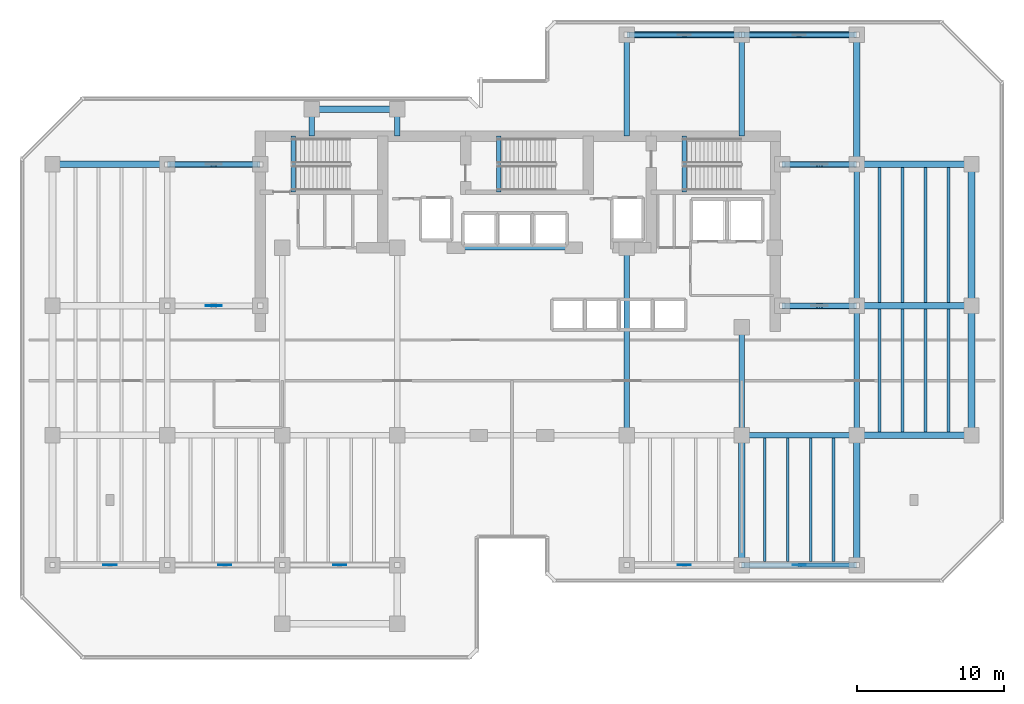
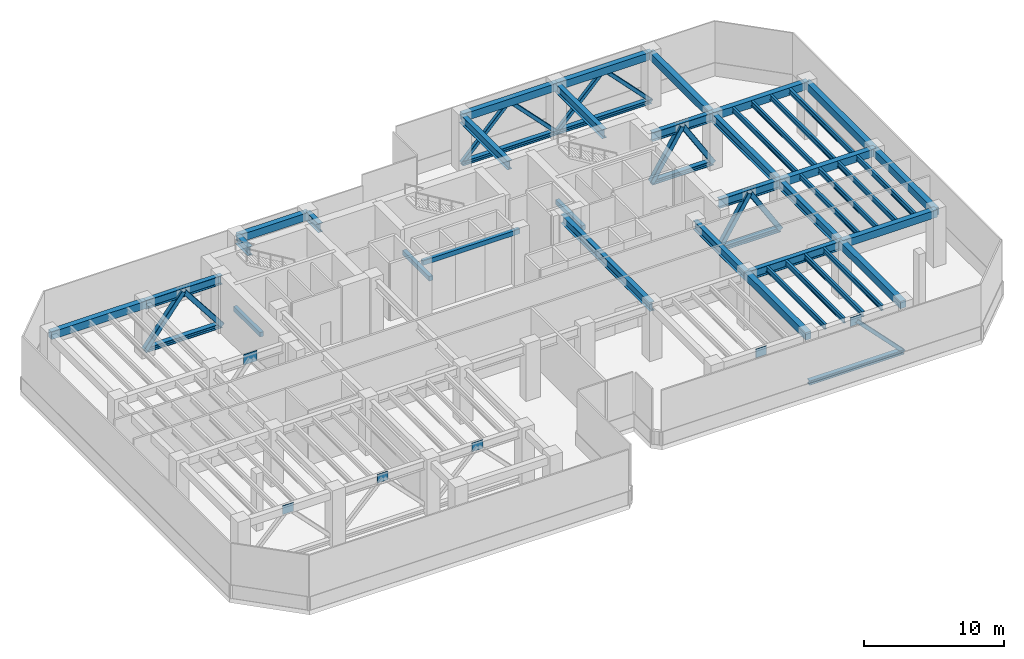
# One storey, part 2 of 10: 40 beams, 17 members, 6 plates.
"""IFC4 building model written with IfcOpenShell, lengths in metres."""

from ifc_helpers import new_model, si_unit, direction, frame, origin, origin_2d, place, context, subcontext, project, spatial, rectangle, hollow_rectangle, i_section, extrude, material, layer, layer_set, material_profile, profile_set, type_object, element, save


model = new_model("IFC4")

# Units and contexts
model_context = context("Model", 3, precision=1e-05, world=origin(), true_north=direction((0.0, 1.0)))
body_context = subcontext(model_context, "Body", "Model", "MODEL_VIEW")
ifc_project = project(units=[si_unit("LENGTHUNIT", "METRE"), si_unit("AREAUNIT", "SQUARE_METRE"), si_unit("VOLUMEUNIT", "CUBIC_METRE"), si_unit("PLANEANGLEUNIT", "RADIAN"), si_unit("MASSUNIT", "GRAM", prefix="KILO")], contexts=[model_context])

# Site, building, storey
site_placement = place(None, origin())
site = spatial("IfcSite", under=ifc_project, at=site_placement, CompositionType="ELEMENT")
building_placement = place(site_placement, origin())
building = spatial("IfcBuilding", under=site, at=building_placement, Name="Kestravale Grand Hotel", CompositionType="ELEMENT")
storey_placement = place(building_placement, frame((0.0, 0.0, 184.0)))
storey = spatial("IfcBuildingStorey", under=building, at=storey_placement, Name="L46", CompositionType="ELEMENT", Elevation=184.0)

# Beams
ifc_material_1 = material(Name="Steel ASTM A992 Grade 50", Category="steel")
ifc_material_profile_1 = material_profile(ifc_material_1, i_section(OverallWidth=0.19091796875, OverallDepth=0.45703125, WebThickness=0.009033203125, FlangeThickness=0.014404296875, FilletRadius=0.015380859375, at=origin_2d()))
ifc_profile_set_1 = profile_set([ifc_material_profile_1], Name="Steel ASTM A992 Grade 50")
beam_type_1 = type_object("IfcBeamType", Name="B-FLR-JST18", PredefinedType="JOIST", material=ifc_profile_set_1)
for number, where, z_axis, x_axis, name in (
    (1, (56.159912109375, 11.425048828125, 4.4814453125), (0.0, 1.0, 0.0), (-1.0, 0.0, 0.0), "L46 floor joist 9-10/C-D #1"),
    (2, (57.719970703125, 11.425048828125, 4.4814453125), (0.0, 1.0, 0.0), (-1.0, 0.0, 0.0), "L46 floor joist 9-10/C-D #2"),
    (3, (59.280029296875, 11.425048828125, 4.4814453125), (0.0, 1.0, 0.0), (-1.0, 0.0, 0.0), "L46 floor joist 9-10/C-D #3"),
    (4, (60.840087890625, 11.425048828125, 4.4814453125), (0.0, 1.0, 0.0), (-1.0, 0.0, 0.0), "L46 floor joist 9-10/C-D #4"),
):
    element("IfcBeam", number, at=place(storey_placement, frame(where, z_axis=z_axis, x_axis=x_axis)), inside=storey, type_object=beam_type_1, Name=name, PredefinedType="JOIST", context=body_context, shape_type="SweptSolid", body=[
        extrude(i_section(OverallWidth=0.19091796875, OverallDepth=0.45703125, WebThickness=0.009033203125, FlangeThickness=0.014404296875, FilletRadius=0.015380859375, at=origin_2d()), origin(), (0.0, 0.0, 1.0), 8.384521484375),
    ])
for number, where, z_axis, x_axis, name in (
    (5, (63.9599609375, 20.22509765625, 4.4814453125), (0.0, 1.0, 0.0), (-1.0, 0.0, 0.0), "L46 floor joist 10-11/D-E #1"),
    (6, (65.52001953125, 20.22509765625, 4.4814453125), (0.0, 1.0, 0.0), (-1.0, 0.0, 0.0), "L46 floor joist 10-11/D-E #2"),
    (7, (67.080078125, 20.22509765625, 4.4814453125), (0.0, 1.0, 0.0), (-1.0, 0.0, 0.0), "L46 floor joist 10-11/D-E #3"),
    (8, (68.639892578125, 20.22509765625, 4.4814453125), (0.0, 1.0, 0.0), (-1.0, 0.0, 0.0), "L46 floor joist 10-11/D-E #4"),
):
    element("IfcBeam", number, at=place(storey_placement, frame(where, z_axis=z_axis, x_axis=x_axis)), inside=storey, type_object=beam_type_1, Name=name, PredefinedType="JOIST", context=body_context, shape_type="SweptSolid", body=[
        extrude(i_section(OverallWidth=0.19091796875, OverallDepth=0.45703125, WebThickness=0.009033203125, FlangeThickness=0.014404296875, FilletRadius=0.015380859375, at=origin_2d()), origin(), (0.0, 0.0, 1.0), 8.349853515625),
    ])
for number, where, z_axis, x_axis, name in (
    (9, (63.9599609375, 29.02490234375, 4.4814453125), (0.0, 1.0, 0.0), (-1.0, 0.0, 0.0), "L46 floor joist 10-11/E-F #1"),
    (10, (65.52001953125, 29.02490234375, 4.4814453125), (0.0, 1.0, 0.0), (-1.0, 0.0, 0.0), "L46 floor joist 10-11/E-F #2"),
    (11, (67.080078125, 29.02490234375, 4.4814453125), (0.0, 1.0, 0.0), (-1.0, 0.0, 0.0), "L46 floor joist 10-11/E-F #3"),
    (12, (68.639892578125, 29.02490234375, 4.4814453125), (0.0, 1.0, 0.0), (-1.0, 0.0, 0.0), "L46 floor joist 10-11/E-F #4"),
):
    element("IfcBeam", number, at=place(storey_placement, frame(where, z_axis=z_axis, x_axis=x_axis)), inside=storey, type_object=beam_type_1, Name=name, PredefinedType="JOIST", context=body_context, shape_type="SweptSolid", body=[
        extrude(i_section(OverallWidth=0.19091796875, OverallDepth=0.45703125, WebThickness=0.009033203125, FlangeThickness=0.014404296875, FilletRadius=0.015380859375, at=origin_2d()), origin(), (0.0, 0.0, 1.0), 9.150146484375),
    ])
ifc_material_2 = material(Name="Concrete f'c 45 MPa", Category="concrete")
ifc_material_profile_2 = material_profile(ifc_material_2, rectangle(XDim=0.300048828125, YDim=0.39990234375, at=origin_2d()))
ifc_profile_set_2 = profile_set([ifc_material_profile_2], Name="Concrete f'c 45 MPa")
beam_type_2 = type_object("IfcBeamType", Name="B-FLR-LNT400", PredefinedType="LINTEL", material=ifc_profile_set_2)
beam_1_placement = place(storey_placement, frame((35.199951171875, 32.75, 4.510009765625), z_axis=(1.0, 0.0, 0.0), x_axis=(0.0, 1.0, 0.0)))
element("IfcBeam", 13, at=beam_1_placement, inside=storey, type_object=beam_type_2, Name="L46 core portal header lintel", PredefinedType="LINTEL", context=body_context, shape_type="SweptSolid", body=[
    extrude(rectangle(XDim=0.300048828125, YDim=0.39990234375, at=origin_2d()), origin(), (0.0, 0.0, 1.0), 8.0),
])
for number, where, z_axis, x_axis, name in (
    (14, (24.159912109375, 36.52001953125, -0.199951171875), (0.0, 1.0, 0.0), (-1.0, 0.0, 0.0), "L46 ST1 flight bottom header beam"),
    (15, (38.110107421875, 36.52001953125, -0.199951171875), (0.0, 1.0, 0.0), (-1.0, 0.0, 0.0), "L46 ST2 flight bottom header beam"),
    (16, (50.7099609375, 36.52001953125, -0.199951171875), (0.0, 1.0, 0.0), (-1.0, 0.0, 0.0), "L46 ST3 flight bottom header beam"),
):
    element("IfcBeam", number, at=place(storey_placement, frame(where, z_axis=z_axis, x_axis=x_axis)), inside=storey, type_object=beam_type_2, Name=name, PredefinedType="LINTEL", context=body_context, shape_type="SweptSolid", body=[
        extrude(rectangle(XDim=0.300048828125, YDim=0.39990234375, at=origin_2d()), origin(), (0.0, 0.0, 1.0), 3.800048828125),
    ])
ifc_material_3 = material(Name="Concrete f'c 45 MPa", Category="concrete")
ifc_material_profile_3 = material_profile(ifc_material_3, rectangle(XDim=0.449951171875, YDim=0.64990234375, at=origin_2d()))
ifc_profile_set_3 = profile_set([ifc_material_profile_3], Name="Concrete f'c 45 MPa")
beam_type_3 = type_object("IfcBeamType", Name="B-FLR-RC650", PredefinedType="SPANDREL", material=ifc_profile_set_3)
for number, where, z_axis, x_axis, name in (
    (17, (62.39990234375, 20.0, 4.385009765625), (1.0, 0.0, 0.0), (0.0, 1.0, 0.0), "L46 spandrel D:10-11"),
    (18, (62.39990234375, 28.800048828125, 4.385009765625), (1.0, 0.0, 0.0), (0.0, 1.0, 0.0), "L46 spandrel E:10-11"),
    (19, (7.800048828125, 38.39990234375, 4.385009765625), (1.0, 0.0, 0.0), (0.0, 1.0, 0.0), "L46 spandrel F:2-3"),
    (20, (62.39990234375, 38.39990234375, 4.385009765625), (1.0, 0.0, 0.0), (0.0, 1.0, 0.0), "L46 spandrel F:10-11"),
    (21, (46.800048828125, 47.199951171875, 4.385009765625), (1.0, 0.0, 0.0), (0.0, 1.0, 0.0), "L46 spandrel G:8-9"),
):
    element("IfcBeam", number, at=place(storey_placement, frame(where, z_axis=z_axis, x_axis=x_axis)), inside=storey, type_object=beam_type_3, Name=name, PredefinedType="SPANDREL", context=body_context, shape_type="SweptSolid", body=[
        extrude(rectangle(XDim=0.449951171875, YDim=0.64990234375, at=origin_2d()), origin(), (0.0, 0.0, 1.0), 7.800048828125),
    ])
beam_2_placement = place(storey_placement, frame((54.60009765625, 47.199951171875, 4.385009765625), z_axis=(1.0, 0.0, 0.0), x_axis=(0.0, 1.0, 0.0)))
element("IfcBeam", 22, at=beam_2_placement, inside=storey, type_object=beam_type_3, Name="L46 spandrel G:9-10", PredefinedType="SPANDREL", context=body_context, shape_type="SweptSolid", body=[
    extrude(rectangle(XDim=0.449951171875, YDim=0.64990234375, at=origin_2d()), origin(), (0.0, 0.0, 1.0), 7.7998046875),
])
beam_3_placement = place(storey_placement, frame((25.39990234375, 42.14990234375, 4.385009765625), z_axis=(1.0, 0.0, 0.0), x_axis=(0.0, 1.0, 0.0)))
element("IfcBeam", 23, at=beam_3_placement, inside=storey, type_object=beam_type_3, Name="L46 perimeter tie spandrel FN:4-5", PredefinedType="SPANDREL", context=body_context, shape_type="SweptSolid", body=[
    extrude(rectangle(XDim=0.449951171875, YDim=0.64990234375, at=origin_2d()), origin(), (0.0, 0.0, 1.0), 5.800048828125),
])
for number, where, z_axis, x_axis, name in (
    (24, (54.60009765625, 11.199951171875, 4.385009765625), (0.0, 1.0, 0.0), (-1.0, 0.0, 0.0), "L46 spandrel 9:C-D"),
    (25, (62.39990234375, 11.199951171875, 4.385009765625), (0.0, 1.0, 0.0), (-1.0, 0.0, 0.0), "L46 spandrel 10:C-D"),
    (26, (62.39990234375, 38.39990234375, 4.385009765625), (0.0, 1.0, 0.0), (-1.0, 0.0, 0.0), "L46 spandrel 10:F-G"),
    (27, (70.199951171875, 20.0, 4.385009765625), (0.0, 1.0, 0.0), (-1.0, 0.0, 0.0), "L46 spandrel 11:D-E"),
):
    element("IfcBeam", number, at=place(storey_placement, frame(where, z_axis=z_axis, x_axis=x_axis)), inside=storey, type_object=beam_type_3, Name=name, PredefinedType="SPANDREL", context=body_context, shape_type="SweptSolid", body=[
        extrude(rectangle(XDim=0.449951171875, YDim=0.64990234375, at=origin_2d()), origin(), (0.0, 0.0, 1.0), 8.800048828125),
    ])
beam_4_placement = place(storey_placement, frame((70.199951171875, 28.800048828125, 4.385009765625), z_axis=(0.0, 1.0, 0.0), x_axis=(-1.0, 0.0, 0.0)))
element("IfcBeam", 28, at=beam_4_placement, inside=storey, type_object=beam_type_3, Name="L46 spandrel 11:E-F", PredefinedType="SPANDREL", context=body_context, shape_type="SweptSolid", body=[
    extrude(rectangle(XDim=0.449951171875, YDim=0.64990234375, at=origin_2d()), origin(), (0.0, 0.0, 1.0), 9.599853515625),
])
ifc_material_4 = material(Name="Steel ASTM A992 Grade 50", Category="steel")
ifc_material_profile_4 = material_profile(ifc_material_4, i_section(OverallWidth=0.381103515625, OverallDepth=0.77197265625, WebThickness=0.0166015625, FlangeThickness=0.027099609375, FilletRadius=0.023681640625, at=origin_2d()))
ifc_profile_set_4 = profile_set([ifc_material_profile_4], Name="Steel ASTM A992 Grade 50")
beam_type_4 = type_object("IfcBeamType", Name="B-GRD-W30", PredefinedType="BEAM", material=ifc_profile_set_4)
beam_5_placement = place(storey_placement, frame((54.60009765625, 20.0, 4.323974609375), z_axis=(1.0, 0.0, 0.0), x_axis=(0.0, 1.0, 0.0)))
element("IfcBeam", 29, at=beam_5_placement, inside=storey, type_object=beam_type_4, Name="L46 girder D:9-10", PredefinedType="BEAM", context=body_context, shape_type="SweptSolid", body=[
    extrude(i_section(OverallWidth=0.381103515625, OverallDepth=0.77197265625, WebThickness=0.0166015625, FlangeThickness=0.027099609375, FilletRadius=0.023681640625, at=origin_2d()), origin(), (0.0, 0.0, 1.0), 7.7998046875),
])
beam_6_placement = place(storey_placement, frame((57.35009765625, 28.800048828125, 4.323974609375), z_axis=(1.0, 0.0, 0.0), x_axis=(0.0, 1.0, 0.0)))
element("IfcBeam", 30, at=beam_6_placement, inside=storey, type_object=beam_type_4, Name="L46 girder E:CE-10", PredefinedType="BEAM", context=body_context, shape_type="SweptSolid", body=[
    extrude(i_section(OverallWidth=0.381103515625, OverallDepth=0.77197265625, WebThickness=0.0166015625, FlangeThickness=0.027099609375, FilletRadius=0.023681640625, at=origin_2d()), origin(), (0.0, 0.0, 1.0), 5.0498046875),
])
beam_7_placement = place(storey_placement, frame((15.60009765625, 38.39990234375, 4.323974609375), z_axis=(1.0, 0.0, 0.0), x_axis=(0.0, 1.0, 0.0)))
element("IfcBeam", 31, at=beam_7_placement, inside=storey, type_object=beam_type_4, Name="L46 girder F:3-CW", PredefinedType="BEAM", context=body_context, shape_type="SweptSolid", body=[
    extrude(i_section(OverallWidth=0.381103515625, OverallDepth=0.77197265625, WebThickness=0.0166015625, FlangeThickness=0.027099609375, FilletRadius=0.023681640625, at=origin_2d()), origin(), (0.0, 0.0, 1.0), 6.2998046875),
])
beam_8_placement = place(storey_placement, frame((57.35009765625, 38.39990234375, 4.323974609375), z_axis=(1.0, 0.0, 0.0), x_axis=(0.0, 1.0, 0.0)))
element("IfcBeam", 32, at=beam_8_placement, inside=storey, type_object=beam_type_4, Name="L46 girder F:CE-10", PredefinedType="BEAM", context=body_context, shape_type="SweptSolid", body=[
    extrude(i_section(OverallWidth=0.381103515625, OverallDepth=0.77197265625, WebThickness=0.0166015625, FlangeThickness=0.027099609375, FilletRadius=0.023681640625, at=origin_2d()), origin(), (0.0, 0.0, 1.0), 5.0498046875),
])
beam_9_placement = place(storey_placement, frame((46.800048828125, 20.0, 4.323974609375), z_axis=(0.0, 1.0, 0.0), x_axis=(-1.0, 0.0, 0.0)))
element("IfcBeam", 33, at=beam_9_placement, inside=storey, type_object=beam_type_4, Name="L46 girder 8:D-CS", PredefinedType="BEAM", context=body_context, shape_type="SweptSolid", body=[
    extrude(i_section(OverallWidth=0.381103515625, OverallDepth=0.77197265625, WebThickness=0.0166015625, FlangeThickness=0.027099609375, FilletRadius=0.023681640625, at=origin_2d()), origin(), (0.0, 0.0, 1.0), 12.75),
])
beam_10_placement = place(storey_placement, frame((54.60009765625, 20.0, 4.323974609375), z_axis=(0.0, 1.0, 0.0), x_axis=(-1.0, 0.0, 0.0)))
element("IfcBeam", 34, at=beam_10_placement, inside=storey, type_object=beam_type_4, Name="L46 girder 9:D-CS", PredefinedType="BEAM", context=body_context, shape_type="SweptSolid", body=[
    extrude(i_section(OverallWidth=0.381103515625, OverallDepth=0.77197265625, WebThickness=0.0166015625, FlangeThickness=0.027099609375, FilletRadius=0.023681640625, at=origin_2d()), origin(), (0.0, 0.0, 1.0), 7.35009765625),
])
beam_11_placement = place(storey_placement, frame((62.39990234375, 20.0, 4.323974609375), z_axis=(0.0, 1.0, 0.0), x_axis=(-1.0, 0.0, 0.0)))
element("IfcBeam", 35, at=beam_11_placement, inside=storey, type_object=beam_type_4, Name="L46 girder 10:D-E", PredefinedType="BEAM", context=body_context, shape_type="SweptSolid", body=[
    extrude(i_section(OverallWidth=0.381103515625, OverallDepth=0.77197265625, WebThickness=0.0166015625, FlangeThickness=0.027099609375, FilletRadius=0.023681640625, at=origin_2d()), origin(), (0.0, 0.0, 1.0), 8.800048828125),
])
beam_12_placement = place(storey_placement, frame((62.39990234375, 28.800048828125, 4.323974609375), z_axis=(0.0, 1.0, 0.0), x_axis=(-1.0, 0.0, 0.0)))
element("IfcBeam", 36, at=beam_12_placement, inside=storey, type_object=beam_type_4, Name="L46 girder 10:E-F", PredefinedType="BEAM", context=body_context, shape_type="SweptSolid", body=[
    extrude(i_section(OverallWidth=0.381103515625, OverallDepth=0.77197265625, WebThickness=0.0166015625, FlangeThickness=0.027099609375, FilletRadius=0.023681640625, at=origin_2d()), origin(), (0.0, 0.0, 1.0), 9.599853515625),
])
for number, where, z_axis, x_axis, name in (
    (37, (25.39990234375, 40.320068359375, 4.323974609375), (0.0, 1.0, 0.0), (-1.0, 0.0, 0.0), "L46 north wing tie girder 4:CN-FN"),
    (38, (31.199951171875, 40.320068359375, 4.323974609375), (0.0, 1.0, 0.0), (-1.0, 0.0, 0.0), "L46 north wing tie girder 5:CN-FN"),
):
    element("IfcBeam", number, at=place(storey_placement, frame(where, z_axis=z_axis, x_axis=x_axis)), inside=storey, type_object=beam_type_4, Name=name, PredefinedType="BEAM", context=body_context, shape_type="SweptSolid", body=[
        extrude(i_section(OverallWidth=0.381103515625, OverallDepth=0.77197265625, WebThickness=0.0166015625, FlangeThickness=0.027099609375, FilletRadius=0.023681640625, at=origin_2d()), origin(), (0.0, 0.0, 1.0), 1.829833984375),
    ])
for number, where, z_axis, x_axis, name in (
    (39, (46.800048828125, 40.320068359375, 4.323974609375), (0.0, 1.0, 0.0), (-1.0, 0.0, 0.0), "L46 north wing tie girder 8:CN-G"),
    (40, (54.60009765625, 40.320068359375, 4.323974609375), (0.0, 1.0, 0.0), (-1.0, 0.0, 0.0), "L46 north wing tie girder 9:CN-G"),
):
    element("IfcBeam", number, at=place(storey_placement, frame(where, z_axis=z_axis, x_axis=x_axis)), inside=storey, type_object=beam_type_4, Name=name, PredefinedType="BEAM", context=body_context, shape_type="SweptSolid", body=[
        extrude(i_section(OverallWidth=0.381103515625, OverallDepth=0.77197265625, WebThickness=0.0166015625, FlangeThickness=0.027099609375, FilletRadius=0.023681640625, at=origin_2d()), origin(), (0.0, 0.0, 1.0), 6.8798828125),
    ])

# Members
ifc_material_5 = material(Name="Steel ASTM A992 Grade 50", Category="steel")
ifc_material_profile_5 = material_profile(ifc_material_5, i_section(OverallWidth=0.373046875, OverallDepth=0.373046875, WebThickness=0.016357421875, FlangeThickness=0.026123046875, FilletRadius=0.016845703125, at=origin_2d()))
ifc_profile_set_5 = profile_set([ifc_material_profile_5], Name="Steel ASTM A992 Grade 50")
member_type_1 = type_object("IfcMemberType", Name="M-BLT-CHD132", PredefinedType="CHORD", material=ifc_profile_set_5)
member_1_placement = place(storey_placement, frame((54.60009765625, 11.199951171875, 0.35009765625), z_axis=(1.0, 0.0, 0.0), x_axis=(0.0, 1.0, 0.0)))
element("IfcMember", 41, at=member_1_placement, inside=storey, type_object=member_type_1, Name="L46 belt truss bottom chord C:9-10", PredefinedType="CHORD", context=body_context, shape_type="SweptSolid", body=[
    extrude(i_section(OverallWidth=0.373046875, OverallDepth=0.373046875, WebThickness=0.016357421875, FlangeThickness=0.026123046875, FilletRadius=0.016845703125, at=origin_2d()), origin(), (0.0, 0.0, 1.0), 7.7998046875),
])
member_2_placement = place(storey_placement, frame((46.800048828125, 47.199951171875, 0.35009765625), z_axis=(1.0, 0.0, 0.0), x_axis=(0.0, 1.0, 0.0)))
element("IfcMember", 42, at=member_2_placement, inside=storey, type_object=member_type_1, Name="L46 belt truss bottom chord G:8-9", PredefinedType="CHORD", context=body_context, shape_type="SweptSolid", body=[
    extrude(i_section(OverallWidth=0.373046875, OverallDepth=0.373046875, WebThickness=0.016357421875, FlangeThickness=0.026123046875, FilletRadius=0.016845703125, at=origin_2d()), origin(), (0.0, 0.0, 1.0), 7.800048828125),
])
member_3_placement = place(storey_placement, frame((54.60009765625, 47.199951171875, 0.35009765625), z_axis=(1.0, 0.0, 0.0), x_axis=(0.0, 1.0, 0.0)))
element("IfcMember", 43, at=member_3_placement, inside=storey, type_object=member_type_1, Name="L46 belt truss bottom chord G:9-10", PredefinedType="CHORD", context=body_context, shape_type="SweptSolid", body=[
    extrude(i_section(OverallWidth=0.373046875, OverallDepth=0.373046875, WebThickness=0.016357421875, FlangeThickness=0.026123046875, FilletRadius=0.016845703125, at=origin_2d()), origin(), (0.0, 0.0, 1.0), 7.7998046875),
])
ifc_material_6 = material(Name="Steel ASTM A992 Grade 50", Category="steel")
ifc_material_profile_6 = material_profile(ifc_material_6, i_section(OverallWidth=0.39892578125, OverallDepth=0.39404296875, WebThickness=0.022705078125, FlangeThickness=0.03662109375, FilletRadius=0.016357421875, at=origin_2d()))
ifc_profile_set_6 = profile_set([ifc_material_profile_6], Name="Steel ASTM A992 Grade 50")
member_type_2 = type_object("IfcMemberType", Name="M-BLT-CHD193", PredefinedType="CHORD", material=ifc_profile_set_6)
member_4_placement = place(storey_placement, frame((57.35009765625, 28.800048828125, 0.35009765625), z_axis=(1.0, 0.0, 0.0), x_axis=(0.0, 1.0, 0.0)))
element("IfcMember", 44, at=member_4_placement, inside=storey, type_object=member_type_2, Name="L46 east outrigger bottom chord E", PredefinedType="CHORD", context=body_context, shape_type="SweptSolid", body=[
    extrude(i_section(OverallWidth=0.39892578125, OverallDepth=0.39404296875, WebThickness=0.022705078125, FlangeThickness=0.03662109375, FilletRadius=0.016357421875, at=origin_2d()), origin(), (0.0, 0.0, 1.0), 5.0498046875),
])
member_5_placement = place(storey_placement, frame((15.60009765625, 38.39990234375, 0.35009765625), z_axis=(1.0, 0.0, 0.0), x_axis=(0.0, 1.0, 0.0)))
element("IfcMember", 45, at=member_5_placement, inside=storey, type_object=member_type_2, Name="L46 west outrigger bottom chord F", PredefinedType="CHORD", context=body_context, shape_type="SweptSolid", body=[
    extrude(i_section(OverallWidth=0.39892578125, OverallDepth=0.39404296875, WebThickness=0.022705078125, FlangeThickness=0.03662109375, FilletRadius=0.016357421875, at=origin_2d()), origin(), (0.0, 0.0, 1.0), 6.2998046875),
])
member_6_placement = place(storey_placement, frame((57.35009765625, 38.39990234375, 0.35009765625), z_axis=(1.0, 0.0, 0.0), x_axis=(0.0, 1.0, 0.0)))
element("IfcMember", 46, at=member_6_placement, inside=storey, type_object=member_type_2, Name="L46 east outrigger bottom chord F", PredefinedType="CHORD", context=body_context, shape_type="SweptSolid", body=[
    extrude(i_section(OverallWidth=0.39892578125, OverallDepth=0.39404296875, WebThickness=0.022705078125, FlangeThickness=0.03662109375, FilletRadius=0.016357421875, at=origin_2d()), origin(), (0.0, 0.0, 1.0), 5.0498046875),
])
ifc_material_7 = material(Name="Steel ASTM A500 Grade C", Category="steel")
ifc_material_profile_7 = material_profile(ifc_material_7, hollow_rectangle(XDim=0.300048828125, YDim=0.300048828125, WallThickness=0.01611328125, InnerFilletRadius=0.01611328125, OuterFilletRadius=0.031982421875, at=origin_2d()))
ifc_profile_set_7 = profile_set([ifc_material_profile_7], Name="Steel ASTM A500 Grade C")
member_type_3 = type_object("IfcMemberType", Name="M-BLT-HSS300", PredefinedType="BRACE", material=ifc_profile_set_7)
for number, where, z_axis, x_axis, name in (
    (47, (62.39990234375, 11.199951171875, 0.35009765625), (-0.694897607575, 0.0, 0.719108694835), (0.0, -1.0, 0.0), "L46 belt truss diagonal C:9-10 R"),
    (48, (46.800048828125, 47.199951171875, 0.35009765625), (0.694897607575, 0.0, 0.719108694835), (0.0, 1.0, 0.0), "L46 belt truss diagonal G:8-9 L"),
    (49, (54.60009765625, 47.199951171875, 0.35009765625), (-0.694897607575, 0.0, 0.719108694835), (0.0, -1.0, 0.0), "L46 belt truss diagonal G:8-9 R"),
    (50, (54.60009765625, 47.199951171875, 0.35009765625), (0.694897607575, 0.0, 0.719108694835), (0.0, 1.0, 0.0), "L46 belt truss diagonal G:9-10 L"),
    (51, (62.39990234375, 47.199951171875, 0.35009765625), (-0.694897607575, 0.0, 0.719108694835), (0.0, -1.0, 0.0), "L46 belt truss diagonal G:9-10 R"),
):
    element("IfcMember", number, at=place(storey_placement, frame(where, z_axis=z_axis, x_axis=x_axis)), inside=storey, type_object=member_type_3, Name=name, PredefinedType="BRACE", context=body_context, shape_type="SweptSolid", body=[
        extrude(hollow_rectangle(XDim=0.300048828125, YDim=0.300048828125, WallThickness=0.01611328125, InnerFilletRadius=0.01611328125, OuterFilletRadius=0.031982421875, at=origin_2d()), origin(), (0.0, 0.0, 1.0), 5.576416015625),
    ])
ifc_material_8 = material(Name="Steel ASTM A500 Grade C", Category="steel")
ifc_material_profile_8 = material_profile(ifc_material_8, hollow_rectangle(XDim=0.39990234375, YDim=0.39990234375, WallThickness=0.02001953125, InnerFilletRadius=0.02001953125, OuterFilletRadius=0.0400390625, at=origin_2d()))
ifc_profile_set_8 = profile_set([ifc_material_profile_8], Name="Steel ASTM A500 Grade C")
member_type_4 = type_object("IfcMemberType", Name="M-OUT-HSS400", PredefinedType="BRACE", material=ifc_profile_set_8)
for number, where, z_axis, x_axis, name in (
    (52, (57.35009765625, 28.800048828125, 0.35009765625), (0.529046582217, 0.0, 0.848592784464), (0.0, 1.0, 0.0), "L46 east outrigger brace E-1"),
    (53, (62.39990234375, 28.800048828125, 0.35009765625), (-0.529046582217, 0.0, 0.848592784464), (0.0, -1.0, 0.0), "L46 east outrigger brace E-2"),
):
    element("IfcMember", number, at=place(storey_placement, frame(where, z_axis=z_axis, x_axis=x_axis)), inside=storey, type_object=member_type_4, Name=name, PredefinedType="BRACE", context=body_context, shape_type="SweptSolid", body=[
        extrude(hollow_rectangle(XDim=0.39990234375, YDim=0.39990234375, WallThickness=0.02001953125, InnerFilletRadius=0.02001953125, OuterFilletRadius=0.0400390625, at=origin_2d()), origin(), (0.0, 0.0, 1.0), 4.7255859375),
    ])
for number, where, z_axis, x_axis, name in (
    (54, (21.89990234375, 38.39990234375, 0.35009765625), (-0.614688381085, 0.0, 0.78877005151), (0.0, -1.0, 0.0), "L46 west outrigger brace F-1"),
    (55, (15.60009765625, 38.39990234375, 0.35009765625), (0.614688381085, 0.0, 0.78877005151), (0.0, 1.0, 0.0), "L46 west outrigger brace F-2"),
):
    element("IfcMember", number, at=place(storey_placement, frame(where, z_axis=z_axis, x_axis=x_axis)), inside=storey, type_object=member_type_4, Name=name, PredefinedType="BRACE", context=body_context, shape_type="SweptSolid", body=[
        extrude(hollow_rectangle(XDim=0.39990234375, YDim=0.39990234375, WallThickness=0.02001953125, InnerFilletRadius=0.02001953125, OuterFilletRadius=0.0400390625, at=origin_2d()), origin(), (0.0, 0.0, 1.0), 5.083984375),
    ])
for number, where, z_axis, x_axis, name in (
    (56, (57.35009765625, 38.39990234375, 0.35009765625), (0.529046582217, 0.0, 0.848592784464), (0.0, 1.0, 0.0), "L46 east outrigger brace F-1"),
    (57, (62.39990234375, 38.39990234375, 0.35009765625), (-0.529046582217, 0.0, 0.848592784464), (0.0, -1.0, 0.0), "L46 east outrigger brace F-2"),
):
    element("IfcMember", number, at=place(storey_placement, frame(where, z_axis=z_axis, x_axis=x_axis)), inside=storey, type_object=member_type_4, Name=name, PredefinedType="BRACE", context=body_context, shape_type="SweptSolid", body=[
        extrude(hollow_rectangle(XDim=0.39990234375, YDim=0.39990234375, WallThickness=0.02001953125, InnerFilletRadius=0.02001953125, OuterFilletRadius=0.0400390625, at=origin_2d()), origin(), (0.0, 0.0, 1.0), 4.7255859375),
    ])

# Plates
ifc_material_9 = material(Name="Steel ASTM A572 Grade 50", Category="steel")
ifc_layer_1 = layer(ifc_material_9, 0.044921875)
ifc_layer_set_1 = layer_set([ifc_layer_1], Name="PL-GUS-45")
plate_type_1 = type_object("IfcPlateType", Name="PL-GUS-45", PredefinedType="USERDEFINED", material=ifc_layer_set_1)
for number, where, z_axis, x_axis, name in (
    (58, (11.699951171875, 11.199951171875, 3.985107421875), (0.0, 0.0, 1.0), (1.0, 0.0, 0.0), "L46 belt truss gusset C:2-3"),
    (59, (19.5, 11.199951171875, 3.985107421875), (0.0, 0.0, 1.0), (1.0, 0.0, 0.0), "L46 belt truss gusset C:3-4"),
    (60, (27.300048828125, 11.199951171875, 3.985107421875), (0.0, 0.0, 1.0), (1.0, 0.0, 0.0), "L46 belt truss gusset C:4-5"),
    (61, (50.699951171875, 11.199951171875, 3.985107421875), (0.0, 0.0, 1.0), (1.0, 0.0, 0.0), "L46 belt truss gusset C:8-9"),
    (62, (58.5, 11.199951171875, 3.985107421875), (0.0, 0.0, 1.0), (1.0, 0.0, 0.0), "L46 belt truss gusset C:9-10"),
):
    element("IfcPlate", number, at=place(storey_placement, frame(where, z_axis=z_axis, x_axis=x_axis)), inside=storey, type_object=plate_type_1, Name=name, ObjectType="GUSSET PLATE", PredefinedType="USERDEFINED", context=body_context, shape_type="SweptSolid", body=[
        extrude(rectangle(XDim=0.89990234375, YDim=0.044921875, at=origin_2d()), origin(), (0.0, 0.0, 1.0), 0.75),
    ])
ifc_material_10 = material(Name="Steel ASTM A572 Grade 50", Category="steel")
ifc_layer_2 = layer(ifc_material_10, 0.06005859375)
ifc_layer_set_2 = layer_set([ifc_layer_2], Name="PL-GUS-60")
plate_type_2 = type_object("IfcPlateType", Name="PL-GUS-60", PredefinedType="USERDEFINED", material=ifc_layer_set_2)
plate_placement = place(storey_placement, frame((18.75, 28.800048828125, 3.91015625), z_axis=(0.0, 0.0, 1.0), x_axis=(1.0, 0.0, 0.0)))
element("IfcPlate", 63, at=plate_placement, inside=storey, type_object=plate_type_2, Name="L46 outrigger gusset plate W-E", ObjectType="GUSSET PLATE", PredefinedType="USERDEFINED", context=body_context, shape_type="SweptSolid", body=[
    extrude(rectangle(XDim=1.10009765625, YDim=0.06005859375, at=origin_2d()), origin(), (0.0, 0.0, 1.0), 0.89990234375),
])

save(model, "model.ifc")
